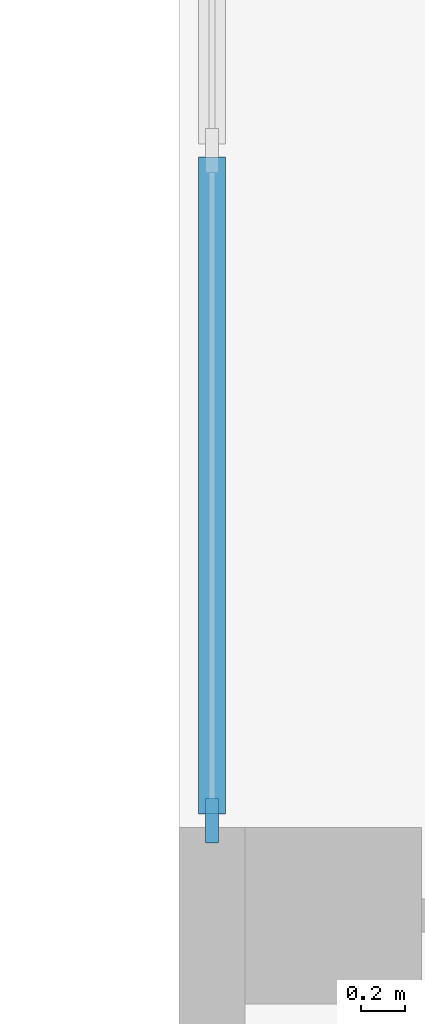
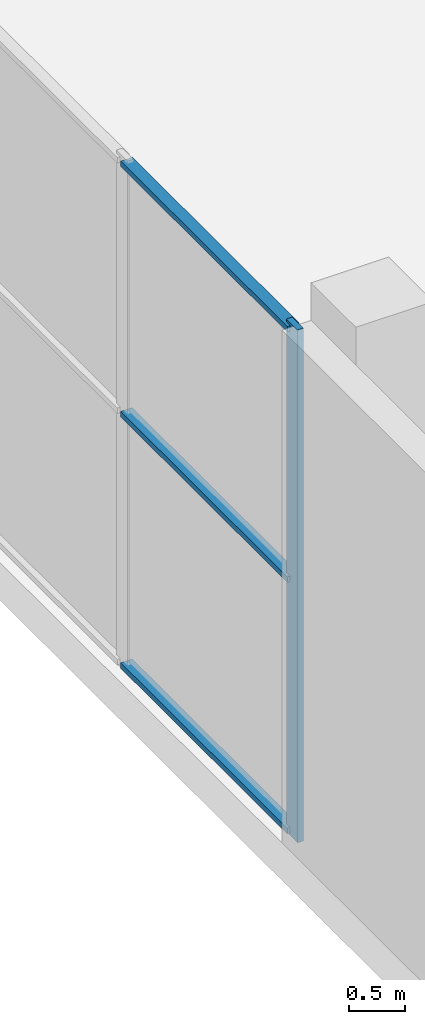
# One storey, part 9 of 51: 4 members, 1 element without a shape of its own.
"""IFC4 building model written with IfcOpenShell, lengths in metres."""

from ifc_helpers import new_model, si_unit, direction, frame, origin, origin_2d, place, context, subcontext, project, spatial, rectangle, extrude, material, material_profile, profile_set, type_object, element, aggregate, save


model = new_model("IFC4")

# Units and contexts
model_context = context("Model", 3, precision=1e-05, world=origin(), true_north=direction((0.0, 1.0)))
body_context = subcontext(model_context, "Body", "Model", "MODEL_VIEW")
ifc_project = project(units=[si_unit("LENGTHUNIT", "METRE"), si_unit("AREAUNIT", "SQUARE_METRE"), si_unit("VOLUMEUNIT", "CUBIC_METRE"), si_unit("PLANEANGLEUNIT", "RADIAN"), si_unit("MASSUNIT", "GRAM", prefix="KILO")], contexts=[model_context])

# Site, building, storey
site_placement = place(None, origin())
site = spatial("IfcSite", under=ifc_project, at=site_placement, CompositionType="ELEMENT")
building_placement = place(site_placement, origin())
building = spatial("IfcBuilding", under=site, at=building_placement, Name="Jabali Bay Hotel Tower and Convention Centre", CompositionType="ELEMENT")
storey_placement = place(building_placement, frame((0.0, 0.0, 9.0)))
storey = spatial("IfcBuildingStorey", under=building, at=storey_placement, Name="L01", CompositionType="ELEMENT", Elevation=9.0)

# Curtain wall, members
ifc_material_1 = material(Name="Aluminium 6063-T5 and glass", Category="aluminium")
curtain_wall_type = type_object("IfcCurtainWallType", Name="CC CW4 Unitised Curtain Wall", PredefinedType="NOTDEFINED", material=ifc_material_1)
curtain_wall_placement = place(storey_placement, origin())
curtain_wall = element("IfcCurtainWall", 1, at=curtain_wall_placement, inside=storey, type_object=curtain_wall_type, Name="CC CW4 run 1", PredefinedType="NOTDEFINED")
ifc_material_2 = material(Name="Aluminium 6063-T5", Category="aluminium")
ifc_material_profile_1 = material_profile(ifc_material_2, rectangle(XDim=0.06005859375, YDim=0.199951171875, at=origin_2d()), Name="AL 60x200")
ifc_profile_set_1 = profile_set([ifc_material_profile_1], Name="Aluminium 6063-T5")
member_type_1 = type_object("IfcMemberType", Name="CC Curtain Wall Mullion 60x200", PredefinedType="MULLION", material=ifc_profile_set_1)
member_1_placement = place(storey_placement, frame((150.14990234375, 60.429931640625, 0.0), z_axis=(0.0, 0.0, 1.0), x_axis=(-1.0, 0.0, 0.0)))
member_1 = element("IfcMember", 2, at=member_1_placement, type_object=member_type_1, Name="CC-CW4 mullion 1", PredefinedType="MULLION", context=body_context, shape_type="SweptSolid", body=[
    extrude(rectangle(XDim=0.06005859375, YDim=0.199951171875, at=origin_2d()), origin(), (0.0, 0.0, 1.0), 5.590087890625),
])
ifc_material_profile_2 = material_profile(ifc_material_2, rectangle(XDim=0.1201171875, YDim=0.06005859375, at=origin_2d()), Name="AL 120x60")
ifc_profile_set_2 = profile_set([ifc_material_profile_2], Name="Aluminium 6063-T5")
member_type_2 = type_object("IfcMemberType", Name="CC Curtain Wall Transom 60x120", PredefinedType="USERDEFINED", material=ifc_profile_set_2)
member_2_placement = place(storey_placement, frame((150.14990234375, 60.4599609375, 0.06005859375), z_axis=(0.0, 1.0, 0.0), x_axis=(-1.0, 0.0, 0.0)))
member_2 = element("IfcMember", 3, at=member_2_placement, type_object=member_type_2, Name="CC-CW4 transom 1.1", ObjectType="TRANSOM", PredefinedType="USERDEFINED", context=body_context, shape_type="SweptSolid", body=[
    extrude(rectangle(XDim=0.1201171875, YDim=0.06005859375, at=origin_2d()), origin(), (0.0, 0.0, 1.0), 2.976806640625),
])
member_3_placement = place(storey_placement, frame((150.14990234375, 60.4599609375, 2.800048828125), z_axis=(0.0, 1.0, 0.0), x_axis=(-1.0, 0.0, 0.0)))
member_3 = element("IfcMember", 4, at=member_3_placement, type_object=member_type_2, Name="CC-CW4 transom 1.2", ObjectType="TRANSOM", PredefinedType="USERDEFINED", context=body_context, shape_type="SweptSolid", body=[
    extrude(rectangle(XDim=0.1201171875, YDim=0.06005859375, at=origin_2d()), origin(), (0.0, 0.0, 1.0), 2.976806640625),
])
member_4_placement = place(storey_placement, frame((150.14990234375, 60.4599609375, 5.530029296875), z_axis=(0.0, 1.0, 0.0), x_axis=(-1.0, 0.0, 0.0)))
member_4 = element("IfcMember", 5, at=member_4_placement, type_object=member_type_2, Name="CC-CW4 transom 1.3", ObjectType="TRANSOM", PredefinedType="USERDEFINED", context=body_context, shape_type="SweptSolid", body=[
    extrude(rectangle(XDim=0.1201171875, YDim=0.06005859375, at=origin_2d()), origin(), (0.0, 0.0, 1.0), 2.976806640625),
])
aggregate(curtain_wall, [member_1, member_2, member_3, member_4])

save(model, "model.ifc")
